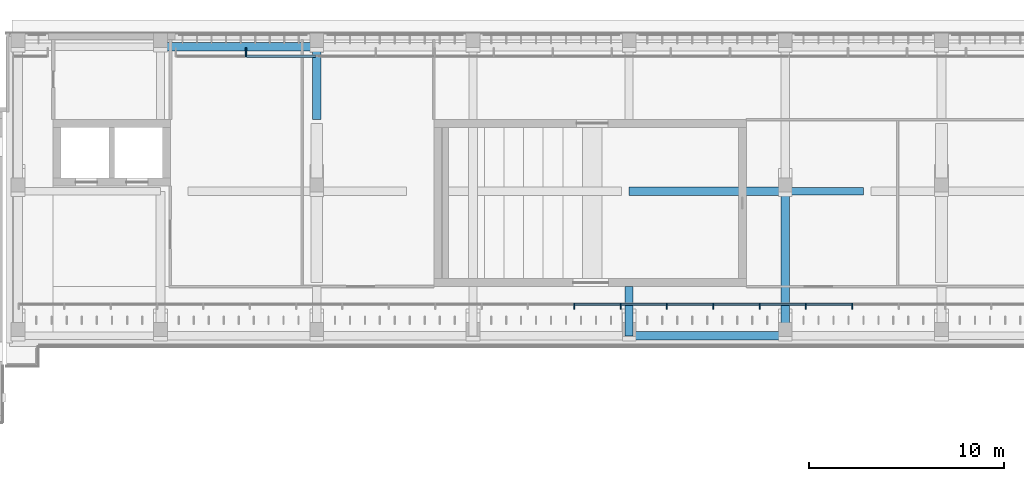
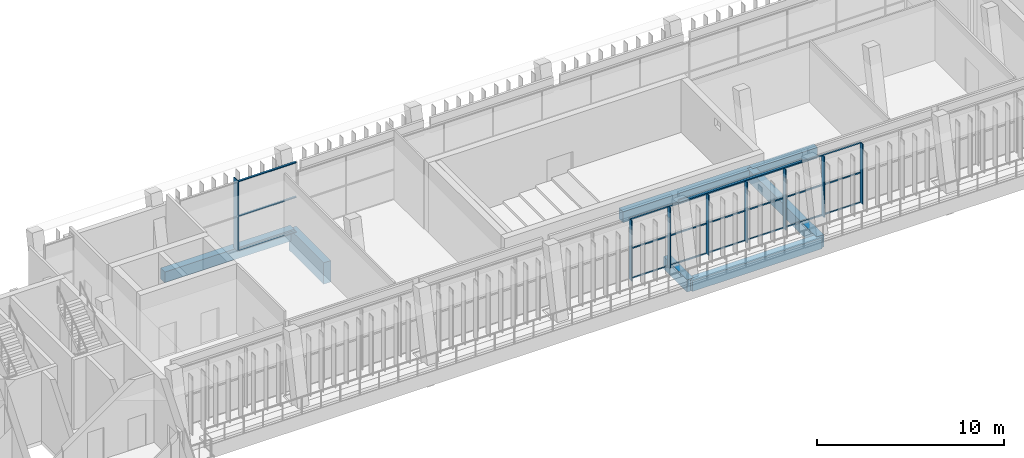
# One storey, part 26 of 74: 29 members, 8 beams, 2 elements without a shape of their own.
"""IFC4 building model written with IfcOpenShell, lengths in metres."""

from ifc_helpers import new_model, si_unit, direction, frame, origin, origin_2d, place, context, subcontext, project, spatial, rectangle, hollow_rectangle, extrude, material, material_profile, profile_set, type_object, element, aggregate, save


model = new_model("IFC4")

# Units and contexts
model_context = context("Model", 3, precision=1e-05, world=origin(), true_north=direction((0.0, 1.0)))
body_context = subcontext(model_context, "Body", "Model", "MODEL_VIEW")
ifc_project = project(units=[si_unit("LENGTHUNIT", "METRE"), si_unit("AREAUNIT", "SQUARE_METRE"), si_unit("VOLUMEUNIT", "CUBIC_METRE"), si_unit("PLANEANGLEUNIT", "RADIAN"), si_unit("MASSUNIT", "GRAM", prefix="KILO")], contexts=[model_context])

# Site, building, storey
site_placement = place(None, origin())
site = spatial("IfcSite", under=ifc_project, at=site_placement, CompositionType="ELEMENT")
building_placement = place(site_placement, origin())
building = spatial("IfcBuilding", under=site, at=building_placement, Name="Lantern Court Media Centre", CompositionType="ELEMENT")
storey_placement = place(building_placement, frame((0.0, 0.0, 19.199951171875)))
storey = spatial("IfcBuildingStorey", under=building, at=storey_placement, Name="L04", CompositionType="ELEMENT", Elevation=19.199951171875)

# Curtain wall, members
ifc_material_1 = material(Name="Curtain wall bay 2400")
curtain_wall_type_1 = type_object("IfcCurtainWallType", Name="Curtain wall bay 2400", PredefinedType="NOTDEFINED", material=ifc_material_1)
curtain_wall_1_placement = place(storey_placement, origin())
curtain_wall_1 = element("IfcCurtainWall", 1, at=curtain_wall_1_placement, inside=storey, type_object=curtain_wall_type_1, Name="Curtain wall N inner L04", PredefinedType="NOTDEFINED")
ifc_material_2 = material(Name="Anodised aluminium", Category="aluminium")
ifc_material_profile_1 = material_profile(ifc_material_2, rectangle(XDim=0.300048828125, YDim=0.050048828125, at=origin_2d()), Name="AL 50x300")
ifc_profile_set_1 = profile_set([ifc_material_profile_1], Name="Anodised aluminium")
member_type_1 = type_object("IfcMemberType", Name="Curtain wall mullion 50x300", PredefinedType="MULLION", material=ifc_profile_set_1)
member_1_placement = place(storey_placement, frame((53.18701171875, 102.030029296875, 0.0), z_axis=(0.0, 0.0, 1.0), x_axis=(0.0, 1.0, 0.0)))
member_1 = element("IfcMember", 2, at=member_1_placement, type_object=member_type_1, Name="CW2 mullion 13", PredefinedType="MULLION", context=body_context, shape_type="SweptSolid", body=[
    extrude(rectangle(XDim=0.300048828125, YDim=0.050048828125, at=origin_2d()), origin(), (0.0, 0.0, 1.0), 3.949951171875),
])
member_2_placement = place(storey_placement, frame((55.560791015625, 102.030029296875, 0.0), z_axis=(0.0, 0.0, 1.0), x_axis=(0.0, 1.0, 0.0)))
member_2 = element("IfcMember", 3, at=member_2_placement, type_object=member_type_1, Name="CW2 mullion 14", PredefinedType="MULLION", context=body_context, shape_type="SweptSolid", body=[
    extrude(rectangle(XDim=0.300048828125, YDim=0.050048828125, at=origin_2d()), origin(), (0.0, 0.0, 1.0), 3.949951171875),
])
member_3_placement = place(storey_placement, frame((57.934814453125, 102.030029296875, 0.0), z_axis=(0.0, 0.0, 1.0), x_axis=(0.0, 1.0, 0.0)))
member_3 = element("IfcMember", 4, at=member_3_placement, type_object=member_type_1, Name="CW2 mullion 15", PredefinedType="MULLION", context=body_context, shape_type="SweptSolid", body=[
    extrude(rectangle(XDim=0.300048828125, YDim=0.050048828125, at=origin_2d()), origin(), (0.0, 0.0, 1.0), 3.949951171875),
])
member_4_placement = place(storey_placement, frame((60.30859375, 102.030029296875, 0.0), z_axis=(0.0, 0.0, 1.0), x_axis=(0.0, 1.0, 0.0)))
member_4 = element("IfcMember", 5, at=member_4_placement, type_object=member_type_1, Name="CW2 mullion 16", PredefinedType="MULLION", context=body_context, shape_type="SweptSolid", body=[
    extrude(rectangle(XDim=0.300048828125, YDim=0.050048828125, at=origin_2d()), origin(), (0.0, 0.0, 1.0), 3.949951171875),
])
member_5_placement = place(storey_placement, frame((62.6826171875, 102.030029296875, 0.0), z_axis=(0.0, 0.0, 1.0), x_axis=(0.0, 1.0, 0.0)))
member_5 = element("IfcMember", 6, at=member_5_placement, type_object=member_type_1, Name="CW2 mullion 17", PredefinedType="MULLION", context=body_context, shape_type="SweptSolid", body=[
    extrude(rectangle(XDim=0.300048828125, YDim=0.050048828125, at=origin_2d()), origin(), (0.0, 0.0, 1.0), 3.949951171875),
])
member_6_placement = place(storey_placement, frame((65.056640625, 102.030029296875, 0.0), z_axis=(0.0, 0.0, 1.0), x_axis=(0.0, 1.0, 0.0)))
member_6 = element("IfcMember", 7, at=member_6_placement, type_object=member_type_1, Name="CW2 mullion 18", PredefinedType="MULLION", context=body_context, shape_type="SweptSolid", body=[
    extrude(rectangle(XDim=0.300048828125, YDim=0.050048828125, at=origin_2d()), origin(), (0.0, 0.0, 1.0), 3.949951171875),
])
member_7_placement = place(storey_placement, frame((67.430419921875, 102.030029296875, 0.0), z_axis=(0.0, 0.0, 1.0), x_axis=(0.0, 1.0, 0.0)))
member_7 = element("IfcMember", 8, at=member_7_placement, type_object=member_type_1, Name="CW2 mullion 19", PredefinedType="MULLION", context=body_context, shape_type="SweptSolid", body=[
    extrude(rectangle(XDim=0.300048828125, YDim=0.050048828125, at=origin_2d()), origin(), (0.0, 0.0, 1.0), 3.949951171875),
])

# Curtain wall, member
ifc_material_3 = material(Name="Curtain wall bay 3000")
curtain_wall_type_2 = type_object("IfcCurtainWallType", Name="Curtain wall bay 3000", PredefinedType="NOTDEFINED", material=ifc_material_3)
curtain_wall_2_placement = place(storey_placement, origin())
curtain_wall_2 = element("IfcCurtainWall", 9, at=curtain_wall_2_placement, inside=storey, type_object=curtain_wall_type_2, Name="Curtain wall N outer L04", PredefinedType="NOTDEFINED")
ifc_material_profile_2 = material_profile(ifc_material_2, rectangle(XDim=0.449951171875, YDim=0.06005859375, at=origin_2d()), Name="AL 60x450")
ifc_profile_set_2 = profile_set([ifc_material_profile_2], Name="Anodised aluminium")
member_type_2 = type_object("IfcMemberType", Name="Curtain wall mullion 60x450", PredefinedType="MULLION", material=ifc_profile_set_2)
member_8_placement = place(storey_placement, frame((36.375, 115.044921875, 0.0), z_axis=(0.0, 0.0, 1.0), x_axis=(0.0, 1.0, 0.0)))
member_8 = element("IfcMember", 10, at=member_8_placement, type_object=member_type_2, Name="CW1 mullion 2", PredefinedType="MULLION", context=body_context, shape_type="SweptSolid", body=[
    extrude(rectangle(XDim=0.449951171875, YDim=0.06005859375, at=origin_2d()), origin(), (0.0, 0.0, 1.0), 4.580078125),
])

# Member
ifc_material_profile_3 = material_profile(ifc_material_2, rectangle(XDim=0.10009765625, YDim=0.050048828125, at=origin_2d()), Name="AL 50x100")
ifc_profile_set_3 = profile_set([ifc_material_profile_3], Name="Anodised aluminium")
member_type_3 = type_object("IfcMemberType", Name="Curtain wall transom 100x50", PredefinedType="USERDEFINED", material=ifc_profile_set_3)
member_9_placement = place(storey_placement, frame((53.2119140625, 102.14990234375, 0.025146484375), z_axis=(1.0, 0.0, 0.0), x_axis=(0.0, 1.0, 0.0)))
member_9 = element("IfcMember", 11, at=member_9_placement, type_object=member_type_3, Name="CW2 transom 13.1", ObjectType="TRANSOM", PredefinedType="USERDEFINED", context=body_context, shape_type="SweptSolid", body=[
    extrude(rectangle(XDim=0.10009765625, YDim=0.050048828125, at=origin_2d()), origin(), (0.0, 0.0, 1.0), 2.323974609375),
])

member_10_placement = place(storey_placement, frame((53.2119140625, 102.14990234375, 1.97509765625), z_axis=(1.0, 0.0, 0.0), x_axis=(0.0, 1.0, 0.0)))
member_10 = element("IfcMember", 12, at=member_10_placement, type_object=member_type_3, Name="CW2 transom 13.2", ObjectType="TRANSOM", PredefinedType="USERDEFINED", context=body_context, shape_type="SweptSolid", body=[
    extrude(rectangle(XDim=0.10009765625, YDim=0.050048828125, at=origin_2d()), origin(), (0.0, 0.0, 1.0), 2.323974609375),
])

member_11_placement = place(storey_placement, frame((53.2119140625, 102.14990234375, 3.925048828125), z_axis=(1.0, 0.0, 0.0), x_axis=(0.0, 1.0, 0.0)))
member_11 = element("IfcMember", 13, at=member_11_placement, type_object=member_type_3, Name="CW2 transom 13.3", ObjectType="TRANSOM", PredefinedType="USERDEFINED", context=body_context, shape_type="SweptSolid", body=[
    extrude(rectangle(XDim=0.10009765625, YDim=0.050048828125, at=origin_2d()), origin(), (0.0, 0.0, 1.0), 2.323974609375),
])

member_12_placement = place(storey_placement, frame((55.5859375, 102.14990234375, 0.025146484375), z_axis=(1.0, 0.0, 0.0), x_axis=(0.0, 1.0, 0.0)))
member_12 = element("IfcMember", 14, at=member_12_placement, type_object=member_type_3, Name="CW2 transom 14.1", ObjectType="TRANSOM", PredefinedType="USERDEFINED", context=body_context, shape_type="SweptSolid", body=[
    extrude(rectangle(XDim=0.10009765625, YDim=0.050048828125, at=origin_2d()), origin(), (0.0, 0.0, 1.0), 2.32373046875),
])

member_13_placement = place(storey_placement, frame((55.5859375, 102.14990234375, 1.97509765625), z_axis=(1.0, 0.0, 0.0), x_axis=(0.0, 1.0, 0.0)))
member_13 = element("IfcMember", 15, at=member_13_placement, type_object=member_type_3, Name="CW2 transom 14.2", ObjectType="TRANSOM", PredefinedType="USERDEFINED", context=body_context, shape_type="SweptSolid", body=[
    extrude(rectangle(XDim=0.10009765625, YDim=0.050048828125, at=origin_2d()), origin(), (0.0, 0.0, 1.0), 2.32373046875),
])

member_14_placement = place(storey_placement, frame((55.5859375, 102.14990234375, 3.925048828125), z_axis=(1.0, 0.0, 0.0), x_axis=(0.0, 1.0, 0.0)))
member_14 = element("IfcMember", 16, at=member_14_placement, type_object=member_type_3, Name="CW2 transom 14.3", ObjectType="TRANSOM", PredefinedType="USERDEFINED", context=body_context, shape_type="SweptSolid", body=[
    extrude(rectangle(XDim=0.10009765625, YDim=0.050048828125, at=origin_2d()), origin(), (0.0, 0.0, 1.0), 2.32373046875),
])

member_15_placement = place(storey_placement, frame((57.959716796875, 102.14990234375, 0.025146484375), z_axis=(1.0, 0.0, 0.0), x_axis=(0.0, 1.0, 0.0)))
member_15 = element("IfcMember", 17, at=member_15_placement, type_object=member_type_3, Name="CW2 transom 15.1", ObjectType="TRANSOM", PredefinedType="USERDEFINED", context=body_context, shape_type="SweptSolid", body=[
    extrude(rectangle(XDim=0.10009765625, YDim=0.050048828125, at=origin_2d()), origin(), (0.0, 0.0, 1.0), 2.323974609375),
])

member_16_placement = place(storey_placement, frame((57.959716796875, 102.14990234375, 1.97509765625), z_axis=(1.0, 0.0, 0.0), x_axis=(0.0, 1.0, 0.0)))
member_16 = element("IfcMember", 18, at=member_16_placement, type_object=member_type_3, Name="CW2 transom 15.2", ObjectType="TRANSOM", PredefinedType="USERDEFINED", context=body_context, shape_type="SweptSolid", body=[
    extrude(rectangle(XDim=0.10009765625, YDim=0.050048828125, at=origin_2d()), origin(), (0.0, 0.0, 1.0), 2.323974609375),
])

member_17_placement = place(storey_placement, frame((57.959716796875, 102.14990234375, 3.925048828125), z_axis=(1.0, 0.0, 0.0), x_axis=(0.0, 1.0, 0.0)))
member_17 = element("IfcMember", 19, at=member_17_placement, type_object=member_type_3, Name="CW2 transom 15.3", ObjectType="TRANSOM", PredefinedType="USERDEFINED", context=body_context, shape_type="SweptSolid", body=[
    extrude(rectangle(XDim=0.10009765625, YDim=0.050048828125, at=origin_2d()), origin(), (0.0, 0.0, 1.0), 2.323974609375),
])

member_18_placement = place(storey_placement, frame((60.333740234375, 102.14990234375, 0.025146484375), z_axis=(1.0, 0.0, 0.0), x_axis=(0.0, 1.0, 0.0)))
member_18 = element("IfcMember", 20, at=member_18_placement, type_object=member_type_3, Name="CW2 transom 16.1", ObjectType="TRANSOM", PredefinedType="USERDEFINED", context=body_context, shape_type="SweptSolid", body=[
    extrude(rectangle(XDim=0.10009765625, YDim=0.050048828125, at=origin_2d()), origin(), (0.0, 0.0, 1.0), 2.323974609375),
])

member_19_placement = place(storey_placement, frame((60.333740234375, 102.14990234375, 1.97509765625), z_axis=(1.0, 0.0, 0.0), x_axis=(0.0, 1.0, 0.0)))
member_19 = element("IfcMember", 21, at=member_19_placement, type_object=member_type_3, Name="CW2 transom 16.2", ObjectType="TRANSOM", PredefinedType="USERDEFINED", context=body_context, shape_type="SweptSolid", body=[
    extrude(rectangle(XDim=0.10009765625, YDim=0.050048828125, at=origin_2d()), origin(), (0.0, 0.0, 1.0), 2.323974609375),
])

member_20_placement = place(storey_placement, frame((60.333740234375, 102.14990234375, 3.925048828125), z_axis=(1.0, 0.0, 0.0), x_axis=(0.0, 1.0, 0.0)))
member_20 = element("IfcMember", 22, at=member_20_placement, type_object=member_type_3, Name="CW2 transom 16.3", ObjectType="TRANSOM", PredefinedType="USERDEFINED", context=body_context, shape_type="SweptSolid", body=[
    extrude(rectangle(XDim=0.10009765625, YDim=0.050048828125, at=origin_2d()), origin(), (0.0, 0.0, 1.0), 2.323974609375),
])

member_21_placement = place(storey_placement, frame((62.70751953125, 102.14990234375, 0.025146484375), z_axis=(1.0, 0.0, 0.0), x_axis=(0.0, 1.0, 0.0)))
member_21 = element("IfcMember", 23, at=member_21_placement, type_object=member_type_3, Name="CW2 transom 17.1", ObjectType="TRANSOM", PredefinedType="USERDEFINED", context=body_context, shape_type="SweptSolid", body=[
    extrude(rectangle(XDim=0.10009765625, YDim=0.050048828125, at=origin_2d()), origin(), (0.0, 0.0, 1.0), 2.323974609375),
])

member_22_placement = place(storey_placement, frame((62.70751953125, 102.14990234375, 1.97509765625), z_axis=(1.0, 0.0, 0.0), x_axis=(0.0, 1.0, 0.0)))
member_22 = element("IfcMember", 24, at=member_22_placement, type_object=member_type_3, Name="CW2 transom 17.2", ObjectType="TRANSOM", PredefinedType="USERDEFINED", context=body_context, shape_type="SweptSolid", body=[
    extrude(rectangle(XDim=0.10009765625, YDim=0.050048828125, at=origin_2d()), origin(), (0.0, 0.0, 1.0), 2.323974609375),
])

member_23_placement = place(storey_placement, frame((62.70751953125, 102.14990234375, 3.925048828125), z_axis=(1.0, 0.0, 0.0), x_axis=(0.0, 1.0, 0.0)))
member_23 = element("IfcMember", 25, at=member_23_placement, type_object=member_type_3, Name="CW2 transom 17.3", ObjectType="TRANSOM", PredefinedType="USERDEFINED", context=body_context, shape_type="SweptSolid", body=[
    extrude(rectangle(XDim=0.10009765625, YDim=0.050048828125, at=origin_2d()), origin(), (0.0, 0.0, 1.0), 2.323974609375),
])

member_24_placement = place(storey_placement, frame((65.08154296875, 102.14990234375, 0.025146484375), z_axis=(1.0, 0.0, 0.0), x_axis=(0.0, 1.0, 0.0)))
member_24 = element("IfcMember", 26, at=member_24_placement, type_object=member_type_3, Name="CW2 transom 18.1", ObjectType="TRANSOM", PredefinedType="USERDEFINED", context=body_context, shape_type="SweptSolid", body=[
    extrude(rectangle(XDim=0.10009765625, YDim=0.050048828125, at=origin_2d()), origin(), (0.0, 0.0, 1.0), 2.323974609375),
])

member_25_placement = place(storey_placement, frame((65.08154296875, 102.14990234375, 1.97509765625), z_axis=(1.0, 0.0, 0.0), x_axis=(0.0, 1.0, 0.0)))
member_25 = element("IfcMember", 27, at=member_25_placement, type_object=member_type_3, Name="CW2 transom 18.2", ObjectType="TRANSOM", PredefinedType="USERDEFINED", context=body_context, shape_type="SweptSolid", body=[
    extrude(rectangle(XDim=0.10009765625, YDim=0.050048828125, at=origin_2d()), origin(), (0.0, 0.0, 1.0), 2.323974609375),
])

member_26_placement = place(storey_placement, frame((65.08154296875, 102.14990234375, 3.925048828125), z_axis=(1.0, 0.0, 0.0), x_axis=(0.0, 1.0, 0.0)))
member_26 = element("IfcMember", 28, at=member_26_placement, type_object=member_type_3, Name="CW2 transom 18.3", ObjectType="TRANSOM", PredefinedType="USERDEFINED", context=body_context, shape_type="SweptSolid", body=[
    extrude(rectangle(XDim=0.10009765625, YDim=0.050048828125, at=origin_2d()), origin(), (0.0, 0.0, 1.0), 2.323974609375),
])

aggregate(curtain_wall_1, [member_1, member_2, member_3, member_4, member_5, member_6, member_7, member_9, member_10, member_11, member_12, member_13, member_14, member_15, member_16, member_17, member_18, member_19, member_20, member_21, member_22, member_23, member_24, member_25, member_26])

ifc_material_profile_4 = material_profile(ifc_material_2, rectangle(XDim=0.1201171875, YDim=0.06005859375, at=origin_2d()), Name="AL 60x120")
ifc_profile_set_4 = profile_set([ifc_material_profile_4], Name="Anodised aluminium")
member_type_4 = type_object("IfcMemberType", Name="Curtain wall transom 60x120", PredefinedType="USERDEFINED", material=ifc_profile_set_4)
member_27_placement = place(storey_placement, frame((36.405029296875, 114.85009765625, 0.030029296875), z_axis=(1.0, 0.0, 0.0), x_axis=(0.0, 1.0, 0.0)))
member_27 = element("IfcMember", 29, at=member_27_placement, type_object=member_type_4, Name="CW1 transom 2.1", ObjectType="TRANSOM", PredefinedType="USERDEFINED", context=body_context, shape_type="SweptSolid", body=[
    extrude(rectangle(XDim=0.1201171875, YDim=0.06005859375, at=origin_2d()), origin(), (0.0, 0.0, 1.0), 3.534912109375),
])

member_28_placement = place(storey_placement, frame((36.405029296875, 114.85009765625, 2.2900390625), z_axis=(1.0, 0.0, 0.0), x_axis=(0.0, 1.0, 0.0)))
member_28 = element("IfcMember", 30, at=member_28_placement, type_object=member_type_4, Name="CW1 transom 2.2", ObjectType="TRANSOM", PredefinedType="USERDEFINED", context=body_context, shape_type="SweptSolid", body=[
    extrude(rectangle(XDim=0.1201171875, YDim=0.06005859375, at=origin_2d()), origin(), (0.0, 0.0, 1.0), 3.534912109375),
])

member_29_placement = place(storey_placement, frame((36.405029296875, 114.85009765625, 4.550048828125), z_axis=(1.0, 0.0, 0.0), x_axis=(0.0, 1.0, 0.0)))
member_29 = element("IfcMember", 31, at=member_29_placement, type_object=member_type_4, Name="CW1 transom 2.3", ObjectType="TRANSOM", PredefinedType="USERDEFINED", context=body_context, shape_type="SweptSolid", body=[
    extrude(rectangle(XDim=0.1201171875, YDim=0.06005859375, at=origin_2d()), origin(), (0.0, 0.0, 1.0), 3.534912109375),
])

aggregate(curtain_wall_2, [member_8, member_27, member_28, member_29])

# Beams
ifc_material_4 = material(Name="Steel S355J2 (EN 10025-2)", Category="steel")
ifc_material_profile_5 = material_profile(ifc_material_4, hollow_rectangle(XDim=0.10009765625, YDim=0.14990234375, WallThickness=0.00634765625, InnerFilletRadius=0.00634765625, OuterFilletRadius=0.009521484375, at=origin_2d()), Name="Facade head lintel RHS 150x100x6.3")
ifc_profile_set_5 = profile_set([ifc_material_profile_5], Name="Steel S355J2 (EN 10025-2)")
beam_type_1 = type_object("IfcBeamType", Name="Facade head lintel RHS 150x100x6.3", PredefinedType="BEAM", material=ifc_profile_set_5)
beam_1_placement = place(storey_placement, frame((56.199951171875, 102.14990234375, 4.025146484375), z_axis=(1.0, 0.0, 0.0), x_axis=(0.0, 1.0, 0.0)))
element("IfcBeam", 32, at=beam_1_placement, inside=storey, type_object=beam_type_1, Name="Facade head lintel N L04", PredefinedType="BEAM", context=body_context, shape_type="SweptSolid", body=[
    extrude(hollow_rectangle(XDim=0.10009765625, YDim=0.14990234375, WallThickness=0.00634765625, InnerFilletRadius=0.00634765625, OuterFilletRadius=0.009521484375, at=origin_2d()), origin(), (0.0, 0.0, 1.0), 7.60009765625),
])
ifc_material_5 = material(Name="Concrete C35", Category="concrete")
ifc_material_profile_6 = material_profile(ifc_material_5, rectangle(XDim=0.39990234375, YDim=0.699951171875, at=origin_2d()), Name="RC 400x700")
ifc_profile_set_6 = profile_set([ifc_material_profile_6], Name="Concrete C35")
beam_type_2 = type_object("IfcBeamType", Name="RC BEAM 400x700", PredefinedType="BEAM", material=ifc_profile_set_6)
beam_2_placement = place(storey_placement, frame((64.0, 107.927001953125, -0.349853515625), z_axis=(1.0, 0.0, 0.0), x_axis=(0.0, 1.0, 0.0)))
element("IfcBeam", 33, at=beam_2_placement, inside=storey, type_object=beam_type_2, Name="LB-N-L04-1-5", PredefinedType="BEAM", context=body_context, shape_type="SweptSolid", body=[
    extrude(rectangle(XDim=0.39990234375, YDim=0.699951171875, at=origin_2d()), origin(), (0.0, 0.0, 1.0), 4.0),
])
ifc_material_profile_7 = material_profile(ifc_material_5, rectangle(XDim=0.39990234375, YDim=0.800048828125, at=origin_2d()), Name="RC 400x800")
ifc_profile_set_7 = profile_set([ifc_material_profile_7], Name="Concrete C35")
beam_type_3 = type_object("IfcBeamType", Name="RC BEAM 400x800", PredefinedType="BEAM", material=ifc_profile_set_7)
beam_3_placement = place(storey_placement, frame((56.0, 100.5166015625, -0.39990234375), z_axis=(0.0, 1.0, 0.0), x_axis=(-1.0, 0.0, 0.0)))
element("IfcBeam", 34, at=beam_3_placement, inside=storey, type_object=beam_type_3, Name="TB-N-L04-4-1", PredefinedType="BEAM", context=body_context, shape_type="SweptSolid", body=[
    extrude(rectangle(XDim=0.39990234375, YDim=0.800048828125, at=origin_2d()), origin(), (0.0, 0.0, 1.0), 2.533447265625),
])
ifc_material_profile_8 = material_profile(ifc_material_5, rectangle(XDim=0.449951171875, YDim=1.39990234375, at=origin_2d()), Name="RC 450x1400")
ifc_profile_set_8 = profile_set([ifc_material_profile_8], Name="Concrete C35")
beam_type_4 = type_object("IfcBeamType", Name="RC BEAM 450x1400", PredefinedType="BEAM", material=ifc_profile_set_8)
beam_4_placement = place(storey_placement, frame((40.0, 111.60009765625, -0.699951171875), z_axis=(0.0, 1.0, 0.0), x_axis=(-1.0, 0.0, 0.0)))
element("IfcBeam", 35, at=beam_4_placement, inside=storey, type_object=beam_type_4, Name="TB-N-L04-2-12", PredefinedType="BEAM", context=body_context, shape_type="SweptSolid", body=[
    extrude(rectangle(XDim=0.449951171875, YDim=1.39990234375, at=origin_2d()), origin(), (0.0, 0.0, 1.0), 3.716552734375),
])
ifc_material_profile_9 = material_profile(ifc_material_5, rectangle(XDim=0.449951171875, YDim=0.699951171875, at=origin_2d()), Name="RC 450x700")
ifc_profile_set_9 = profile_set([ifc_material_profile_9], Name="Concrete C35")
beam_type_5 = type_object("IfcBeamType", Name="RC BEAM 450x700", PredefinedType="BEAM", material=ifc_profile_set_9)
for number, where, z_axis, x_axis, name in (
    (36, (56.0, 100.527099609375, -0.349853515625), (1.0, 0.0, 0.0), (0.0, 1.0, 0.0), "LB-N-L04-0-4"),
    (37, (56.0, 107.927001953125, -0.349853515625), (1.0, 0.0, 0.0), (0.0, 1.0, 0.0), "LB-N-L04-1-12"),
    (38, (32.0, 115.3271484375, -0.349853515625), (1.0, 0.0, 0.0), (0.0, 1.0, 0.0), "LB-N-L04-2-1"),
):
    element("IfcBeam", number, at=place(storey_placement, frame(where, z_axis=z_axis, x_axis=x_axis)), inside=storey, type_object=beam_type_5, Name=name, PredefinedType="BEAM", context=body_context, shape_type="SweptSolid", body=[
        extrude(rectangle(XDim=0.449951171875, YDim=0.699951171875, at=origin_2d()), origin(), (0.0, 0.0, 1.0), 8.0),
    ])
ifc_material_profile_10 = material_profile(ifc_material_5, rectangle(XDim=0.449951171875, YDim=0.800048828125, at=origin_2d()), Name="RC 450x800")
ifc_profile_set_10 = profile_set([ifc_material_profile_10], Name="Concrete C35")
beam_type_6 = type_object("IfcBeamType", Name="RC BEAM 450x800", PredefinedType="BEAM", material=ifc_profile_set_10)
beam_5_placement = place(storey_placement, frame((64.0, 100.5166015625, -0.39990234375), z_axis=(0.0, 1.0, 0.0), x_axis=(-1.0, 0.0, 0.0)))
element("IfcBeam", 39, at=beam_5_placement, inside=storey, type_object=beam_type_6, Name="TB-N-L04-5-1", PredefinedType="BEAM", context=body_context, shape_type="SweptSolid", body=[
    extrude(rectangle(XDim=0.449951171875, YDim=0.800048828125, at=origin_2d()), origin(), (0.0, 0.0, 1.0), 7.400146484375),
])

save(model, "model.ifc")
